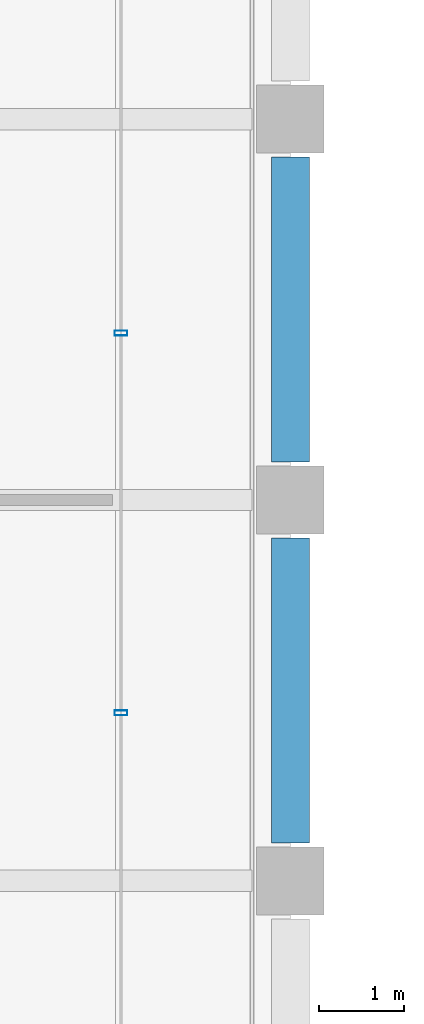
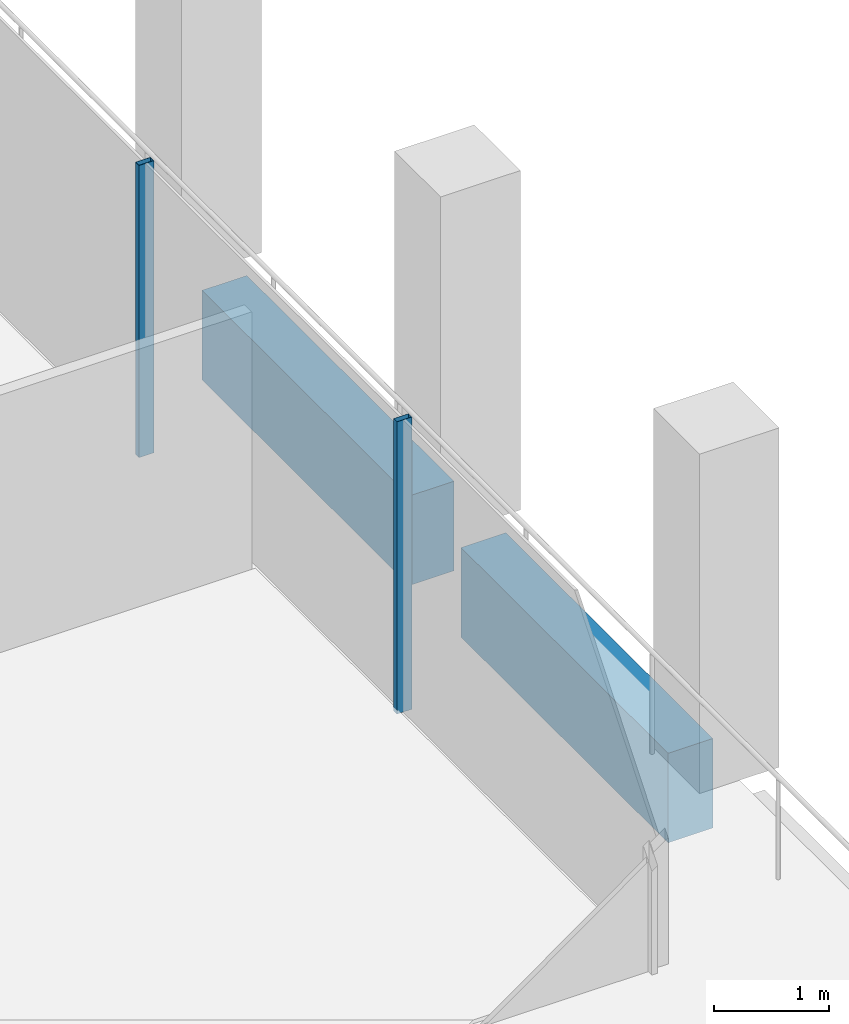
# One storey, part 15 of 40: 2 beams, 2 members, 1 element without a shape of its own.
"""IFC4 building model written with IfcOpenShell, lengths in metres."""

from ifc_helpers import new_model, si_unit, direction, frame, origin, origin_2d, place, context, subcontext, project, spatial, rectangle, hollow_rectangle, extrude, material, material_profile, profile_set, type_object, element, aggregate, save


model = new_model("IFC4")

# Units and contexts
model_context = context("Model", 3, precision=1e-05, world=origin(), true_north=direction((0.0, 1.0)))
body_context = subcontext(model_context, "Body", "Model", "MODEL_VIEW")
ifc_project = project(units=[si_unit("LENGTHUNIT", "METRE"), si_unit("AREAUNIT", "SQUARE_METRE"), si_unit("VOLUMEUNIT", "CUBIC_METRE"), si_unit("PLANEANGLEUNIT", "RADIAN"), si_unit("MASSUNIT", "GRAM", prefix="KILO")], contexts=[model_context])

# Site, building, storey
site_placement = place(None, origin())
site = spatial("IfcSite", under=ifc_project, at=site_placement, CompositionType="ELEMENT")
building_placement = place(site_placement, origin())
building = spatial("IfcBuilding", under=site, at=building_placement, Name="Altepetl Exchange Towers", CompositionType="ELEMENT")
storey_placement = place(building_placement, frame((0.0, 0.0, 195.60009765625)))
storey = spatial("IfcBuildingStorey", under=building, at=storey_placement, Name="L49", CompositionType="ELEMENT", Elevation=195.60009765625)

# Curtain wall, members
ifc_material_1 = material(Name="Aluminium 6063-T6 glazing", Category="aluminium")
curtain_wall_type = type_object("IfcCurtainWallType", Name="Loggia glazing system", PredefinedType="NOTDEFINED", material=ifc_material_1)
curtain_wall_placement = place(storey_placement, origin())
curtain_wall = element("IfcCurtainWall", 1, at=curtain_wall_placement, inside=storey, type_object=curtain_wall_type, Name="CW1 run", PredefinedType="NOTDEFINED")
ifc_material_2 = material(Name="Aluminium 6063-T6", Category="aluminium")
ifc_material_profile_1 = material_profile(ifc_material_2, hollow_rectangle(XDim=0.06005859375, YDim=0.14990234375, WallThickness=0.0029296875, at=origin_2d()), Name="Mullion 60x150 aluminium")
ifc_profile_set_1 = profile_set([ifc_material_profile_1], Name="Aluminium 6063-T6")
member_type = type_object("IfcMemberType", Name="Mullion 60x150 aluminium", PredefinedType="MULLION", material=ifc_profile_set_1)
member_1_placement = place(storey_placement, frame((70.0, 37.986083984375, 0.0), z_axis=(0.0, 0.0, 1.0), x_axis=(0.0, 1.0, 0.0)))
member_1 = element("IfcMember", 2, at=member_1_placement, type_object=member_type, Name="MU1 mullion", PredefinedType="MULLION", context=body_context, shape_type="SweptSolid", body=[
    extrude(hollow_rectangle(XDim=0.06005859375, YDim=0.14990234375, WallThickness=0.0029296875, at=origin_2d()), origin(), (0.0, 0.0, 1.0), 3.099853515625),
])
member_2_placement = place(storey_placement, frame((70.0, 42.471923828125, 0.0), z_axis=(0.0, 0.0, 1.0), x_axis=(0.0, 1.0, 0.0)))
member_2 = element("IfcMember", 3, at=member_2_placement, type_object=member_type, Name="MU1 mullion", PredefinedType="MULLION", context=body_context, shape_type="SweptSolid", body=[
    extrude(hollow_rectangle(XDim=0.06005859375, YDim=0.14990234375, WallThickness=0.0029296875, at=origin_2d()), origin(), (0.0, 0.0, 1.0), 3.099853515625),
])
aggregate(curtain_wall, [member_1, member_2])

# Beams
ifc_material_3 = material(Name="Concrete C50/60 precast with cantera amarilla facing", Category="concrete")
ifc_material_profile_2 = material_profile(ifc_material_3, rectangle(XDim=0.449951171875, YDim=0.949951171875, at=origin_2d()), Name="450 x 950")
ifc_profile_set_2 = profile_set([ifc_material_profile_2], Name="Concrete C50/60 precast with cantera amarilla facing")
beam_type = type_object("IfcBeamType", Name="Spandrel beam 450x950 cantera amarilla", PredefinedType="SPANDREL", material=ifc_profile_set_2)
for number, where, z_axis, x_axis, name in (
    (4, (72.0, 36.449951171875, -0.625), (0.0, 1.0, 0.0), (-1.0, 0.0, 0.0), "sp:A:L49:013"),
    (5, (72.0, 40.949951171875, -0.625), (0.0, 1.0, 0.0), (-1.0, 0.0, 0.0), "sp:A:L49:014"),
):
    element("IfcBeam", number, at=place(storey_placement, frame(where, z_axis=z_axis, x_axis=x_axis)), inside=storey, type_object=beam_type, Name=name, PredefinedType="SPANDREL", context=body_context, shape_type="SweptSolid", body=[
        extrude(rectangle(XDim=0.449951171875, YDim=0.949951171875, at=origin_2d()), origin(), (0.0, 0.0, 1.0), 3.60009765625),
    ])

save(model, "model.ifc")
